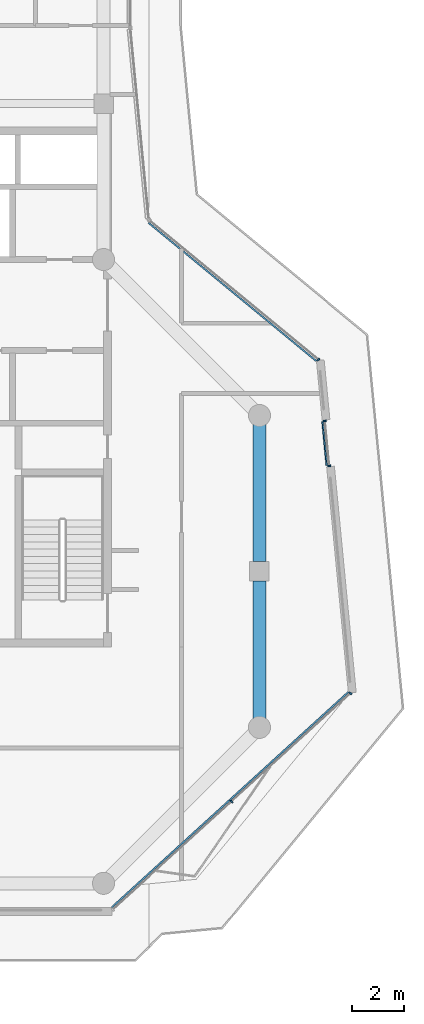
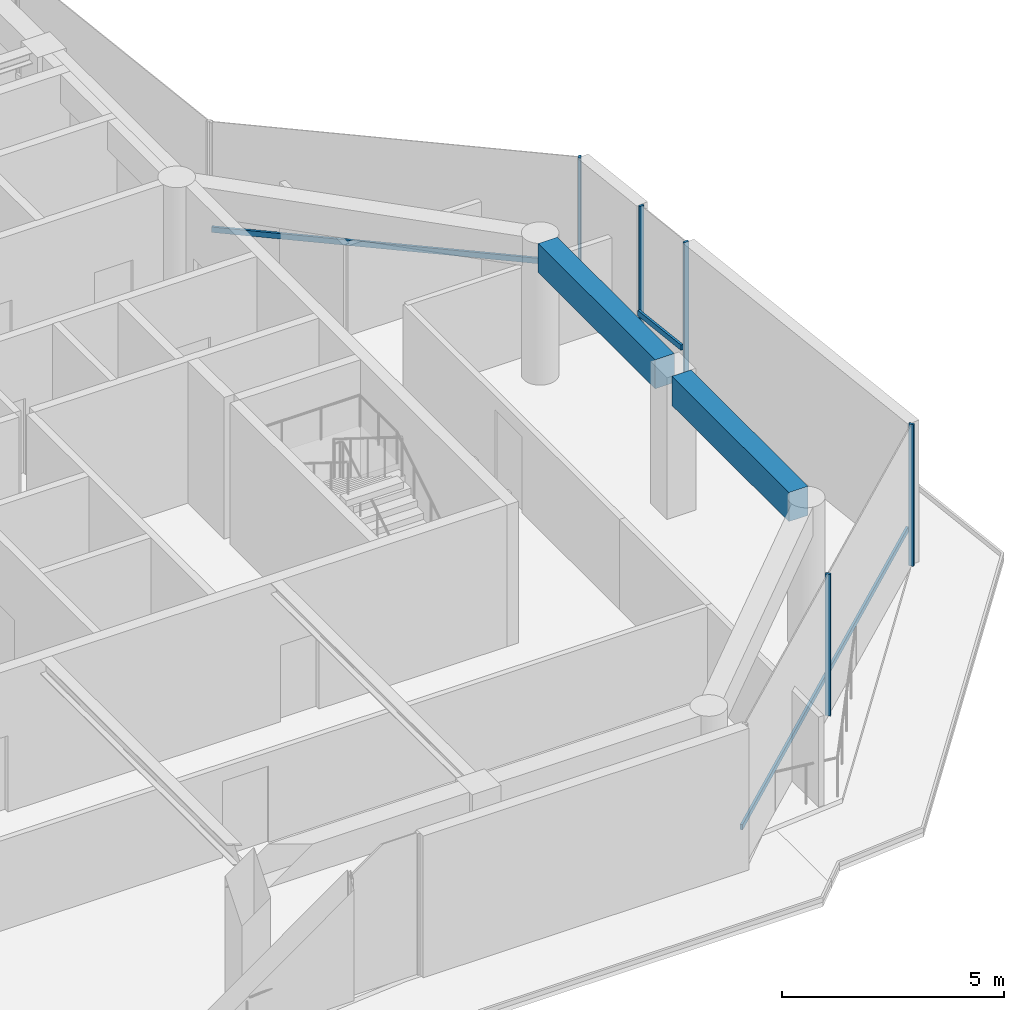
# One storey, part 6 of 22: 8 members, 2 beams, 3 elements without a shape of their own.
"""IFC4 building model written with IfcOpenShell, lengths in metres."""

from ifc_helpers import new_model, si_unit, direction, frame, origin, origin_2d, place, context, subcontext, project, spatial, rectangle, extrude, material, layer, layer_set, material_profile, profile_set, type_object, element, aggregate, save


model = new_model("IFC4")

# Units and contexts
model_context = context("Model", 3, precision=1e-05, world=origin(), true_north=direction((0.0, 1.0)))
body_context = subcontext(model_context, "Body", "Model", "MODEL_VIEW")
ifc_project = project(units=[si_unit("LENGTHUNIT", "METRE"), si_unit("AREAUNIT", "SQUARE_METRE"), si_unit("VOLUMEUNIT", "CUBIC_METRE"), si_unit("PLANEANGLEUNIT", "RADIAN"), si_unit("MASSUNIT", "GRAM", prefix="KILO")], contexts=[model_context])

# Site, building, storey
site_placement = place(None, origin())
site = spatial("IfcSite", under=ifc_project, at=site_placement, CompositionType="ELEMENT")
building_placement = place(site_placement, origin())
building = spatial("IfcBuilding", under=site, at=building_placement, Name="Welwitschia Terrace Campus", CompositionType="ELEMENT")
storey_placement = place(building_placement, frame((0.0, 0.0, 310.39990234375)))
storey = spatial("IfcBuildingStorey", under=building, at=storey_placement, Name="L69", CompositionType="ELEMENT", Elevation=310.39990234375)

# Curtain wall, members
ifc_material_1 = material(Name="Bronze anodised aluminium", Category="aluminium")
ifc_layer = layer(ifc_material_1, 0.1201171875)
ifc_layer_set = layer_set([ifc_layer], Name="Bronze anodised aluminium")
curtain_wall_type = type_object("IfcCurtainWallType", Name="Curtain wall CW2 tower 6000", PredefinedType="NOTDEFINED", material=ifc_layer_set)
curtain_wall_1_placement = place(storey_placement, origin())
curtain_wall_1 = element("IfcCurtainWall", 1, at=curtain_wall_1_placement, inside=storey, type_object=curtain_wall_type, Name="CW L69.3.0", PredefinedType="NOTDEFINED")
ifc_material_2 = material(Name="Bronze anodised aluminium", Category="aluminium")
ifc_material_profile_1 = material_profile(ifc_material_2, rectangle(XDim=0.1201171875, YDim=0.06005859375, at=origin_2d()))
ifc_profile_set_1 = profile_set([ifc_material_profile_1], Name="Bronze anodised aluminium")
member_type_1 = type_object("IfcMemberType", Name="Mullion 60x120", PredefinedType="MULLION", material=ifc_profile_set_1)
member_1_placement = place(storey_placement, frame((28.927490234375, -0.84912109375, 0.0), z_axis=(0.0, 0.0, 1.0), x_axis=(-0.673062173385, 0.739585904921, 0.0)))
member_1 = element("IfcMember", 2, at=member_1_placement, type_object=member_type_1, Name="Mullion L69.3.0.1", PredefinedType="MULLION", context=body_context, shape_type="SweptSolid", body=[
    extrude(rectangle(XDim=0.1201171875, YDim=0.06005859375, at=origin_2d()), origin(), (0.0, 0.0, 1.0), 3.900146484375),
])
member_2_placement = place(storey_placement, frame((33.499267578125, 3.3115234375, 0.0), z_axis=(0.0, 0.0, 1.0), x_axis=(-0.673062173385, 0.739585904921, 0.0)))
member_2 = element("IfcMember", 3, at=member_2_placement, type_object=member_type_1, Name="Mullion L69.3.0.2", PredefinedType="MULLION", context=body_context, shape_type="SweptSolid", body=[
    extrude(rectangle(XDim=0.1201171875, YDim=0.06005859375, at=origin_2d()), origin(), (0.0, 0.0, 1.0), 3.900146484375),
])

curtain_wall_2_placement = place(storey_placement, origin())
curtain_wall_2 = element("IfcCurtainWall", 4, at=curtain_wall_2_placement, inside=storey, type_object=curtain_wall_type, Name="CW L69.4.S0", PredefinedType="NOTDEFINED")
member_3_placement = place(storey_placement, frame((32.680908203125, 12.061279296875, 0.0), z_axis=(0.0, 0.0, 1.0), x_axis=(-0.995396198367, -0.09584575252, 0.0)))
member_3 = element("IfcMember", 5, at=member_3_placement, type_object=member_type_1, Name="Mullion L69.4.S0.0", PredefinedType="MULLION", context=body_context, shape_type="SweptSolid", body=[
    extrude(rectangle(XDim=0.1201171875, YDim=0.06005859375, at=origin_2d()), origin(), (0.0, 0.0, 1.0), 3.900146484375),
])
member_4_placement = place(storey_placement, frame((32.51416015625, 13.793212890625, 0.0), z_axis=(0.0, 0.0, 1.0), x_axis=(-0.995396198367, -0.09584575252, 0.0)))
member_4 = element("IfcMember", 6, at=member_4_placement, type_object=member_type_1, Name="Mullion L69.4.S0.1", PredefinedType="MULLION", context=body_context, shape_type="SweptSolid", body=[
    extrude(rectangle(XDim=0.1201171875, YDim=0.06005859375, at=origin_2d()), origin(), (0.0, 0.0, 1.0), 3.900146484375),
])

# Curtain wall, member
curtain_wall_3_placement = place(storey_placement, origin())
curtain_wall_3 = element("IfcCurtainWall", 7, at=curtain_wall_3_placement, inside=storey, type_object=curtain_wall_type, Name="CW L69.5.0", PredefinedType="NOTDEFINED")
member_5_placement = place(storey_placement, frame((32.266357421875, 16.144775390625, 0.0), z_axis=(0.0, 0.0, 1.0), x_axis=(-0.636078220278, -0.771624583388, 0.0)))
member_5 = element("IfcMember", 8, at=member_5_placement, type_object=member_type_1, Name="Mullion L69.5.0.0", PredefinedType="MULLION", context=body_context, shape_type="SweptSolid", body=[
    extrude(rectangle(XDim=0.1201171875, YDim=0.06005859375, at=origin_2d()), origin(), (0.0, 0.0, 1.0), 3.900146484375),
])

# Beams
ifc_material_3 = material(Name="Concrete C50/60", Category="concrete")
ifc_material_profile_2 = material_profile(ifc_material_3, rectangle(XDim=0.5, YDim=0.800048828125, at=origin_2d()))
ifc_profile_set_2 = profile_set([ifc_material_profile_2], Name="Concrete C50/60")
beam_type = type_object("IfcBeamType", Name="Ring spandrel 500x800", PredefinedType="SPANDREL", material=ifc_profile_set_2)
for number, where, z_axis, x_axis, name in (
    (9, (30.0, 2.344482421875, 3.5), (0.0, 1.0, 0.0), (-1.0, 0.0, 0.0), "Spandrel SP4"),
    (10, (30.0, 8.37548828125, 3.5), (0.0, 1.0, 0.0), (-1.0, 0.0, 0.0), "Spandrel SP4"),
):
    element("IfcBeam", number, at=place(storey_placement, frame(where, z_axis=z_axis, x_axis=x_axis)), inside=storey, type_object=beam_type, Name=name, PredefinedType="SPANDREL", context=body_context, shape_type="SweptSolid", body=[
        extrude(rectangle(XDim=0.5, YDim=0.800048828125, at=origin_2d()), origin(), (0.0, 0.0, 1.0), 5.280029296875),
    ])

# Member
ifc_material_4 = material(Name="Bronze anodised aluminium", Category="aluminium")
ifc_material_profile_3 = material_profile(ifc_material_4, rectangle(XDim=0.06005859375, YDim=0.14990234375, at=origin_2d()))
ifc_profile_set_3 = profile_set([ifc_material_profile_3], Name="Bronze anodised aluminium")
member_type_2 = type_object("IfcMemberType", Name="Transom 60x150", PredefinedType="USERDEFINED", material=ifc_profile_set_3)
member_6_placement = place(storey_placement, frame((24.317138671875, -4.923095703125, 1.0), z_axis=(0.739581710584, 0.673066782251, 0.0), x_axis=(-0.673066782251, 0.739581710584, 0.0)))
member_6 = element("IfcMember", 11, at=member_6_placement, type_object=member_type_2, Name="Transom L69.3.0", ObjectType="TRANSOM", PredefinedType="USERDEFINED", context=body_context, shape_type="SweptSolid", body=[
    extrude(rectangle(XDim=0.06005859375, YDim=0.14990234375, at=origin_2d()), origin(), (0.0, 0.0, 1.0), 12.303466796875),
])

aggregate(curtain_wall_1, [member_1, member_2, member_6])

member_7_placement = place(storey_placement, frame((32.588623046875, 12.08251953125, 1.0), z_axis=(-0.095920099904, 0.995389036726, 0.0), x_axis=(-0.995389036726, -0.095920099904, 0.0)))
member_7 = element("IfcMember", 12, at=member_7_placement, type_object=member_type_2, Name="Transom L69.4.S0", ObjectType="TRANSOM", PredefinedType="USERDEFINED", context=body_context, shape_type="SweptSolid", body=[
    extrude(rectangle(XDim=0.06005859375, YDim=0.14990234375, at=origin_2d()), origin(), (0.0, 0.0, 1.0), 1.679931640625),
])

aggregate(curtain_wall_2, [member_3, member_4, member_7])

member_8_placement = place(storey_placement, frame((32.18603515625, 16.094482421875, 1.0), z_axis=(-0.771619279124, 0.636084654809, 0.0), x_axis=(-0.636084654809, -0.771619279124, 0.0)))
member_8 = element("IfcMember", 13, at=member_8_placement, type_object=member_type_2, Name="Transom L69.5.0", ObjectType="TRANSOM", PredefinedType="USERDEFINED", context=body_context, shape_type="SweptSolid", body=[
    extrude(rectangle(XDim=0.06005859375, YDim=0.14990234375, at=origin_2d()), origin(), (0.0, 0.0, 1.0), 8.365234375),
])

aggregate(curtain_wall_3, [member_5, member_8])

save(model, "model.ifc")
